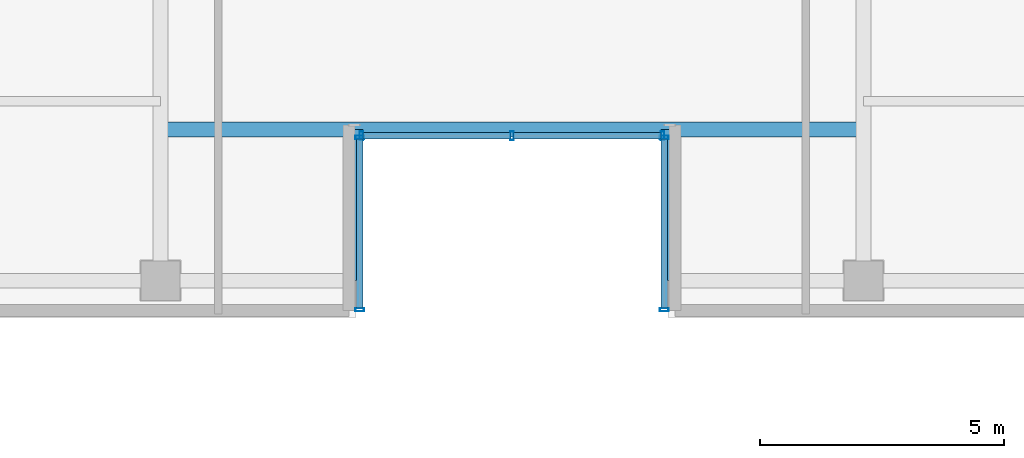
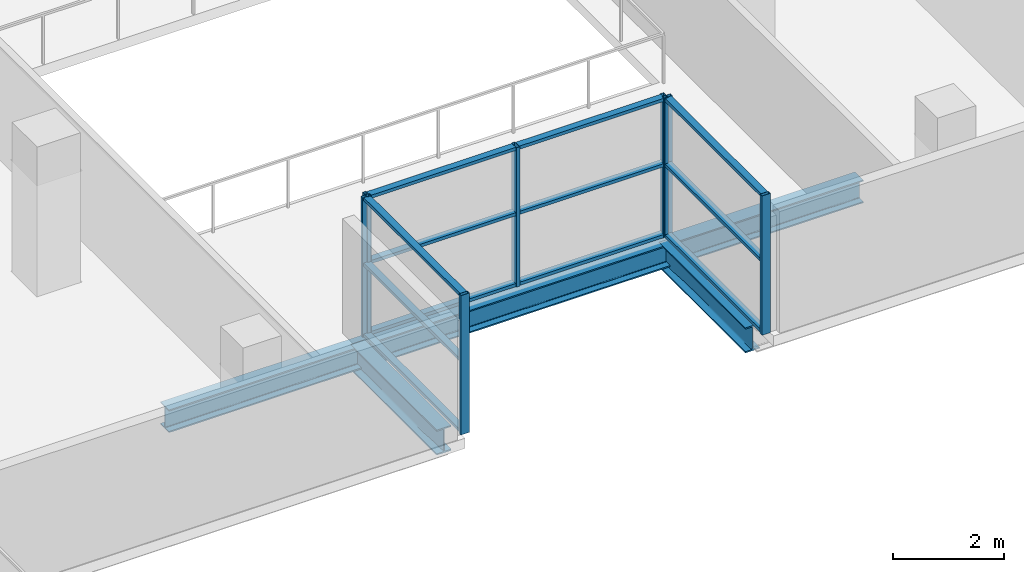
# One storey, part 3 of 23: 19 members, 3 beams, 3 elements without a shape of their own.
"""IFC4 building model written with IfcOpenShell, lengths in metres."""

from ifc_helpers import new_model, si_unit, direction, frame, origin, origin_2d, place, context, subcontext, project, spatial, hollow_rectangle, i_section, extrude, source, transform, mapped, material, layer, layer_set, material_profile, profile_set, type_object, element, aggregate, save


model = new_model("IFC4")

# Units and contexts
model_context = context("Model", 3, precision=1e-05, world=origin(), true_north=direction((0.0, 1.0)))
body_context = subcontext(model_context, "Body", "Model", "MODEL_VIEW")
ifc_project = project(units=[si_unit("LENGTHUNIT", "METRE"), si_unit("AREAUNIT", "SQUARE_METRE"), si_unit("VOLUMEUNIT", "CUBIC_METRE"), si_unit("PLANEANGLEUNIT", "RADIAN"), si_unit("MASSUNIT", "GRAM", prefix="KILO")], contexts=[model_context])

# Site, building, storey
site_placement = place(None, origin())
site = spatial("IfcSite", under=ifc_project, at=site_placement, CompositionType="ELEMENT")
building_placement = place(site_placement, origin())
building = spatial("IfcBuilding", under=site, at=building_placement, Name="Zarnakvel Exchange Tower", CompositionType="ELEMENT")
storey_placement = place(building_placement, frame((0.0, 0.0, 123.10009765625)))
storey = spatial("IfcBuildingStorey", under=building, at=storey_placement, Name="L34", CompositionType="ELEMENT", Elevation=123.10009765625)

# Beams
ifc_material_1 = material(Name="Steel S355", Category="steel")
ifc_material_profile_1 = material_profile(ifc_material_1, i_section(OverallWidth=0.300048828125, OverallDepth=0.550048828125, WebThickness=0.014892578125, FlangeThickness=0.029052734375, FilletRadius=0.027099609375, at=origin_2d()))
ifc_profile_set_1 = profile_set([ifc_material_profile_1], Name="Steel S355")
beam_type_1 = type_object("IfcBeamType", Name="G-05", PredefinedType="BEAM", material=ifc_profile_set_1)
for number, where, z_axis, x_axis, name in (
    (1, (-3.199951171875, -16.949951171875, -0.5), (0.0, 1.0, 0.0), (-1.0, 0.0, 0.0), "L34 South Slot West Cheek Beam"),
    (2, (3.199951171875, -16.949951171875, -0.5), (0.0, 1.0, 0.0), (-1.0, 0.0, 0.0), "L34 South Slot East Cheek Beam"),
):
    element("IfcBeam", number, at=place(storey_placement, frame(where, z_axis=z_axis, x_axis=x_axis)), inside=storey, type_object=beam_type_1, Name=name, PredefinedType="BEAM", context=body_context, shape_type="SweptSolid", body=[
        extrude(i_section(OverallWidth=0.300048828125, OverallDepth=0.550048828125, WebThickness=0.014892578125, FlangeThickness=0.029052734375, FilletRadius=0.027099609375, at=origin_2d()), origin(), (0.0, 0.0, 1.0), 3.099853515625),
    ])
ifc_material_profile_2 = material_profile(ifc_material_1, i_section(OverallWidth=0.300048828125, OverallDepth=0.5, WebThickness=0.014404296875, FlangeThickness=0.028076171875, FilletRadius=0.027099609375, at=origin_2d()))
ifc_profile_set_2 = profile_set([ifc_material_profile_2], Name="Steel S355")
beam_type_2 = type_object("IfcBeamType", Name="SP-02", PredefinedType="SPANDREL", material=ifc_profile_set_2)
beam_placement = place(storey_placement, frame((-7.199951171875, -13.85009765625, -0.47509765625), z_axis=(1.0, 0.0, 0.0), x_axis=(0.0, 1.0, 0.0)))
element("IfcBeam", 3, at=beam_placement, inside=storey, type_object=beam_type_2, Name="L34 South Slot Head Trimmer Girder", PredefinedType="SPANDREL", context=body_context, shape_type="SweptSolid", body=[
    extrude(i_section(OverallWidth=0.300048828125, OverallDepth=0.5, WebThickness=0.014404296875, FlangeThickness=0.028076171875, FilletRadius=0.027099609375, at=origin_2d()), origin(), (0.0, 0.0, 1.0), 14.39990234375),
])

# Curtain wall, members
ifc_material_2 = material(Name="Architectural Bronze Anodised Aluminium", Category="aluminium")
ifc_layer = layer(ifc_material_2, 0.179931640625)
ifc_layer_set = layer_set([ifc_layer], Name="Architectural Bronze Anodised Aluminium")
curtain_wall_type = type_object("IfcCurtainWallType", Name="CW-05", PredefinedType="NOTDEFINED", material=ifc_layer_set)
curtain_wall_1_placement = place(storey_placement, origin())
curtain_wall_1 = element("IfcCurtainWall", 4, at=curtain_wall_1_placement, inside=storey, type_object=curtain_wall_type, Name="L34 Curtain Wall CW-L34-SLW (CW-05)", PredefinedType="NOTDEFINED")
ifc_material_profile_3 = material_profile(ifc_material_2, hollow_rectangle(XDim=0.139892578125, YDim=0.070068359375, WallThickness=0.00390625, at=origin_2d()))
ifc_profile_set_3 = profile_set([ifc_material_profile_3], Name="Architectural Bronze Anodised Aluminium")
member_type_1 = type_object("IfcMemberType", Name="CWT-05", PredefinedType="USERDEFINED", material=ifc_profile_set_3)
shared_shape_1 = source(origin(), body_context, "Body", "SweptSolid", [
    extrude(hollow_rectangle(XDim=0.139892578125, YDim=0.070068359375, WallThickness=0.00390625, at=origin_2d()), origin(), (0.0, 0.0, 1.0), 3.4599609375),
])
member_1_placement = place(storey_placement, frame((-3.1201171875, -17.510009765625, 0.034912109375), z_axis=(0.0, 1.0, 0.0), x_axis=(-1.0, 0.0, 0.0)))
member_1 = element("IfcMember", 5, at=member_1_placement, type_object=member_type_1, Name="CW-05 transom 1.1", ObjectType="TRANSOM", PredefinedType="USERDEFINED", context=body_context, shape_type="MappedRepresentation", body=[
    mapped(shared_shape_1, transform((0.0, 0.0, 0.0), x_axis=(1.0, 0.0, 0.0), y_axis=(0.0, 1.0, 0.0), z_axis=(0.0, 0.0, 1.0), scale=1.0)),
])
member_2_placement = place(storey_placement, frame((-3.1201171875, -17.510009765625, 1.588623046875), z_axis=(0.0, 1.0, 0.0), x_axis=(-1.0, 0.0, 0.0)))
member_2 = element("IfcMember", 6, at=member_2_placement, type_object=member_type_1, Name="CW-05 transom 1.2", ObjectType="TRANSOM", PredefinedType="USERDEFINED", context=body_context, shape_type="MappedRepresentation", body=[
    mapped(shared_shape_1, transform((0.0, 0.0, 0.0), x_axis=(1.0, 0.0, 0.0), y_axis=(0.0, 1.0, 0.0), z_axis=(0.0, 0.0, 1.0), scale=1.0)),
])
member_3_placement = place(storey_placement, frame((-3.1201171875, -17.510009765625, 3.02001953125), z_axis=(0.0, 1.0, 0.0), x_axis=(-1.0, 0.0, 0.0)))
member_3 = element("IfcMember", 7, at=member_3_placement, type_object=member_type_1, Name="CW-05 transom 1.3", ObjectType="TRANSOM", PredefinedType="USERDEFINED", context=body_context, shape_type="MappedRepresentation", body=[
    mapped(shared_shape_1, transform((0.0, 0.0, 0.0), x_axis=(1.0, 0.0, 0.0), y_axis=(0.0, 1.0, 0.0), z_axis=(0.0, 0.0, 1.0), scale=1.0)),
])

curtain_wall_2_placement = place(storey_placement, origin())
curtain_wall_2 = element("IfcCurtainWall", 8, at=curtain_wall_2_placement, inside=storey, type_object=curtain_wall_type, Name="L34 Curtain Wall CW-L34-SLE (CW-05)", PredefinedType="NOTDEFINED")
member_4_placement = place(storey_placement, frame((3.1201171875, -14.050048828125, 0.034912109375), z_axis=(0.0, -1.0, 0.0), x_axis=(1.0, 0.0, 0.0)))
member_4 = element("IfcMember", 9, at=member_4_placement, type_object=member_type_1, Name="CW-05 transom 1.1", ObjectType="TRANSOM", PredefinedType="USERDEFINED", context=body_context, shape_type="MappedRepresentation", body=[
    mapped(shared_shape_1, transform((0.0, 0.0, 0.0), x_axis=(1.0, 0.0, 0.0), y_axis=(0.0, 1.0, 0.0), z_axis=(0.0, 0.0, 1.0), scale=1.0)),
])
member_5_placement = place(storey_placement, frame((3.1201171875, -14.050048828125, 1.588623046875), z_axis=(0.0, -1.0, 0.0), x_axis=(1.0, 0.0, 0.0)))
member_5 = element("IfcMember", 10, at=member_5_placement, type_object=member_type_1, Name="CW-05 transom 1.2", ObjectType="TRANSOM", PredefinedType="USERDEFINED", context=body_context, shape_type="MappedRepresentation", body=[
    mapped(shared_shape_1, transform((0.0, 0.0, 0.0), x_axis=(1.0, 0.0, 0.0), y_axis=(0.0, 1.0, 0.0), z_axis=(0.0, 0.0, 1.0), scale=1.0)),
])
member_6_placement = place(storey_placement, frame((3.1201171875, -14.050048828125, 3.02001953125), z_axis=(0.0, -1.0, 0.0), x_axis=(1.0, 0.0, 0.0)))
member_6 = element("IfcMember", 11, at=member_6_placement, type_object=member_type_1, Name="CW-05 transom 1.3", ObjectType="TRANSOM", PredefinedType="USERDEFINED", context=body_context, shape_type="MappedRepresentation", body=[
    mapped(shared_shape_1, transform((0.0, 0.0, 0.0), x_axis=(1.0, 0.0, 0.0), y_axis=(0.0, 1.0, 0.0), z_axis=(0.0, 0.0, 1.0), scale=1.0)),
])

curtain_wall_3_placement = place(storey_placement, origin())
curtain_wall_3 = element("IfcCurtainWall", 12, at=curtain_wall_3_placement, inside=storey, type_object=curtain_wall_type, Name="L34 Curtain Wall CW-L34-SLB (CW-05)", PredefinedType="NOTDEFINED")
shared_shape_2 = source(origin(), body_context, "Body", "SweptSolid", [
    extrude(hollow_rectangle(XDim=0.139892578125, YDim=0.070068359375, WallThickness=0.00390625, at=origin_2d()), origin(), (0.0, 0.0, 1.0), 3.01513671875),
])
member_7_placement = place(storey_placement, frame((-3.050048828125, -13.97998046875, 0.034912109375), z_axis=(1.0, 0.0, 0.0), x_axis=(0.0, 1.0, 0.0)))
member_7 = element("IfcMember", 13, at=member_7_placement, type_object=member_type_1, Name="CW-05 transom 1.1", ObjectType="TRANSOM", PredefinedType="USERDEFINED", context=body_context, shape_type="MappedRepresentation", body=[
    mapped(shared_shape_2, transform((0.0, 0.0, 0.0), x_axis=(1.0, 0.0, 0.0), y_axis=(0.0, 1.0, 0.0), z_axis=(0.0, 0.0, 1.0), scale=1.0)),
])
member_8_placement = place(storey_placement, frame((-3.050048828125, -13.97998046875, 1.588623046875), z_axis=(1.0, 0.0, 0.0), x_axis=(0.0, 1.0, 0.0)))
member_8 = element("IfcMember", 14, at=member_8_placement, type_object=member_type_1, Name="CW-05 transom 1.2", ObjectType="TRANSOM", PredefinedType="USERDEFINED", context=body_context, shape_type="MappedRepresentation", body=[
    mapped(shared_shape_2, transform((0.0, 0.0, 0.0), x_axis=(1.0, 0.0, 0.0), y_axis=(0.0, 1.0, 0.0), z_axis=(0.0, 0.0, 1.0), scale=1.0)),
])
member_9_placement = place(storey_placement, frame((-3.050048828125, -13.97998046875, 3.02001953125), z_axis=(1.0, 0.0, 0.0), x_axis=(0.0, 1.0, 0.0)))
member_9 = element("IfcMember", 15, at=member_9_placement, type_object=member_type_1, Name="CW-05 transom 1.3", ObjectType="TRANSOM", PredefinedType="USERDEFINED", context=body_context, shape_type="MappedRepresentation", body=[
    mapped(shared_shape_2, transform((0.0, 0.0, 0.0), x_axis=(1.0, 0.0, 0.0), y_axis=(0.0, 1.0, 0.0), z_axis=(0.0, 0.0, 1.0), scale=1.0)),
])
member_10_placement = place(storey_placement, frame((0.034912109375, -13.97998046875, 0.034912109375), z_axis=(1.0, 0.0, 0.0), x_axis=(0.0, 1.0, 0.0)))
member_10 = element("IfcMember", 16, at=member_10_placement, type_object=member_type_1, Name="CW-05 transom 2.1", ObjectType="TRANSOM", PredefinedType="USERDEFINED", context=body_context, shape_type="MappedRepresentation", body=[
    mapped(shared_shape_2, transform((0.0, 0.0, 0.0), x_axis=(1.0, 0.0, 0.0), y_axis=(0.0, 1.0, 0.0), z_axis=(0.0, 0.0, 1.0), scale=1.0)),
])
member_11_placement = place(storey_placement, frame((0.034912109375, -13.97998046875, 1.588623046875), z_axis=(1.0, 0.0, 0.0), x_axis=(0.0, 1.0, 0.0)))
member_11 = element("IfcMember", 17, at=member_11_placement, type_object=member_type_1, Name="CW-05 transom 2.2", ObjectType="TRANSOM", PredefinedType="USERDEFINED", context=body_context, shape_type="MappedRepresentation", body=[
    mapped(shared_shape_2, transform((0.0, 0.0, 0.0), x_axis=(1.0, 0.0, 0.0), y_axis=(0.0, 1.0, 0.0), z_axis=(0.0, 0.0, 1.0), scale=1.0)),
])
member_12_placement = place(storey_placement, frame((0.034912109375, -13.97998046875, 3.02001953125), z_axis=(1.0, 0.0, 0.0), x_axis=(0.0, 1.0, 0.0)))
member_12 = element("IfcMember", 18, at=member_12_placement, type_object=member_type_1, Name="CW-05 transom 2.3", ObjectType="TRANSOM", PredefinedType="USERDEFINED", context=body_context, shape_type="MappedRepresentation", body=[
    mapped(shared_shape_2, transform((0.0, 0.0, 0.0), x_axis=(1.0, 0.0, 0.0), y_axis=(0.0, 1.0, 0.0), z_axis=(0.0, 0.0, 1.0), scale=1.0)),
])

# Member
ifc_material_profile_4 = material_profile(ifc_material_2, hollow_rectangle(XDim=0.179931640625, YDim=0.070068359375, WallThickness=0.00390625, at=origin_2d()))
ifc_profile_set_4 = profile_set([ifc_material_profile_4], Name="Architectural Bronze Anodised Aluminium")
member_type_2 = type_object("IfcMemberType", Name="CWM-05", PredefinedType="MULLION", material=ifc_profile_set_4)
shared_shape_3 = source(origin(), body_context, "Body", "SweptSolid", [
    extrude(hollow_rectangle(XDim=0.179931640625, YDim=0.070068359375, WallThickness=0.00390625, at=origin_2d()), origin(), (0.0, 0.0, 1.0), 3.054931640625),
])
member_13_placement = place(storey_placement, frame((-3.1201171875, -17.544921875, 0.0), z_axis=(0.0, 0.0, 1.0), x_axis=(-1.0, 0.0, 0.0)))
member_13 = element("IfcMember", 19, at=member_13_placement, type_object=member_type_2, Name="CW-05 mullion 1", PredefinedType="MULLION", context=body_context, shape_type="MappedRepresentation", body=[
    mapped(shared_shape_3, transform((0.0, 0.0, 0.0), x_axis=(1.0, 0.0, 0.0), y_axis=(0.0, 1.0, 0.0), z_axis=(0.0, 0.0, 1.0), scale=1.0)),
])

member_14_placement = place(storey_placement, frame((-3.1201171875, -14.014892578125, 0.0), z_axis=(0.0, 0.0, 1.0), x_axis=(-1.0, 0.0, 0.0)))
member_14 = element("IfcMember", 20, at=member_14_placement, type_object=member_type_2, Name="CW-05 mullion 2", PredefinedType="MULLION", context=body_context, shape_type="MappedRepresentation", body=[
    mapped(shared_shape_3, transform((0.0, 0.0, 0.0), x_axis=(1.0, 0.0, 0.0), y_axis=(0.0, 1.0, 0.0), z_axis=(0.0, 0.0, 1.0), scale=1.0)),
])

aggregate(curtain_wall_1, [member_13, member_14, member_1, member_2, member_3])

member_15_placement = place(storey_placement, frame((-3.0849609375, -13.97998046875, 0.0), z_axis=(0.0, 0.0, 1.0), x_axis=(0.0, 1.0, 0.0)))
member_15 = element("IfcMember", 21, at=member_15_placement, type_object=member_type_2, Name="CW-05 mullion 1", PredefinedType="MULLION", context=body_context, shape_type="MappedRepresentation", body=[
    mapped(shared_shape_3, transform((0.0, 0.0, 0.0), x_axis=(1.0, 0.0, 0.0), y_axis=(0.0, 1.0, 0.0), z_axis=(0.0, 0.0, 1.0), scale=1.0)),
])

member_16_placement = place(storey_placement, frame((0.0, -13.97998046875, 0.0), z_axis=(0.0, 0.0, 1.0), x_axis=(0.0, 1.0, 0.0)))
member_16 = element("IfcMember", 22, at=member_16_placement, type_object=member_type_2, Name="CW-05 mullion 2", PredefinedType="MULLION", context=body_context, shape_type="MappedRepresentation", body=[
    mapped(shared_shape_3, transform((0.0, 0.0, 0.0), x_axis=(1.0, 0.0, 0.0), y_axis=(0.0, 1.0, 0.0), z_axis=(0.0, 0.0, 1.0), scale=1.0)),
])

member_17_placement = place(storey_placement, frame((3.0849609375, -13.97998046875, 0.0), z_axis=(0.0, 0.0, 1.0), x_axis=(0.0, 1.0, 0.0)))
member_17 = element("IfcMember", 23, at=member_17_placement, type_object=member_type_2, Name="CW-05 mullion 3", PredefinedType="MULLION", context=body_context, shape_type="MappedRepresentation", body=[
    mapped(shared_shape_3, transform((0.0, 0.0, 0.0), x_axis=(1.0, 0.0, 0.0), y_axis=(0.0, 1.0, 0.0), z_axis=(0.0, 0.0, 1.0), scale=1.0)),
])

aggregate(curtain_wall_3, [member_15, member_16, member_17, member_7, member_8, member_9, member_10, member_11, member_12])

member_18_placement = place(storey_placement, frame((3.1201171875, -14.014892578125, 0.0), z_axis=(0.0, 0.0, 1.0), x_axis=(1.0, 0.0, 0.0)))
member_18 = element("IfcMember", 24, at=member_18_placement, type_object=member_type_2, Name="CW-05 mullion 1", PredefinedType="MULLION", context=body_context, shape_type="MappedRepresentation", body=[
    mapped(shared_shape_3, transform((0.0, 0.0, 0.0), x_axis=(1.0, 0.0, 0.0), y_axis=(0.0, 1.0, 0.0), z_axis=(0.0, 0.0, 1.0), scale=1.0)),
])

member_19_placement = place(storey_placement, frame((3.1201171875, -17.544921875, 0.0), z_axis=(0.0, 0.0, 1.0), x_axis=(1.0, 0.0, 0.0)))
member_19 = element("IfcMember", 25, at=member_19_placement, type_object=member_type_2, Name="CW-05 mullion 2", PredefinedType="MULLION", context=body_context, shape_type="MappedRepresentation", body=[
    mapped(shared_shape_3, transform((0.0, 0.0, 0.0), x_axis=(1.0, 0.0, 0.0), y_axis=(0.0, 1.0, 0.0), z_axis=(0.0, 0.0, 1.0), scale=1.0)),
])

aggregate(curtain_wall_2, [member_18, member_19, member_4, member_5, member_6])

save(model, "model.ifc")
